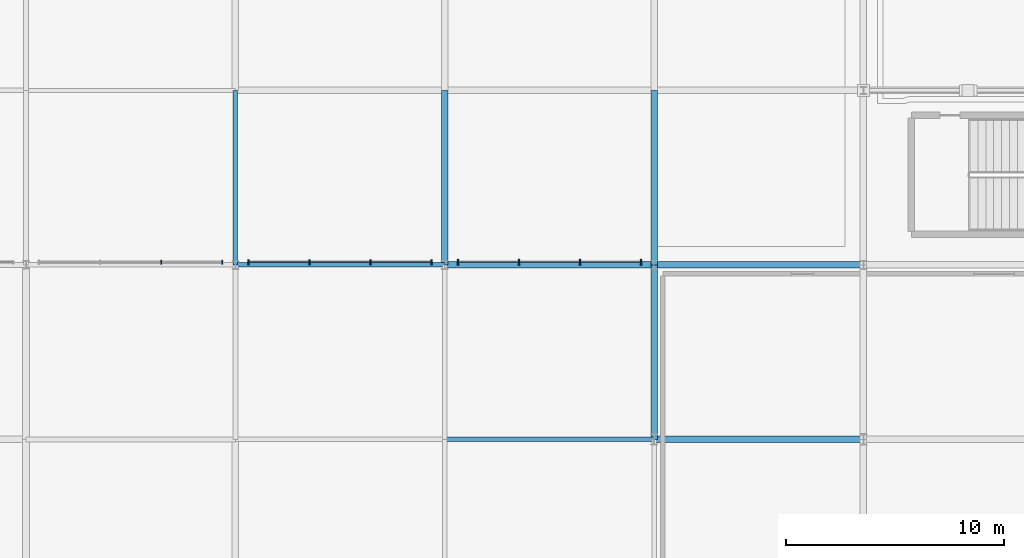
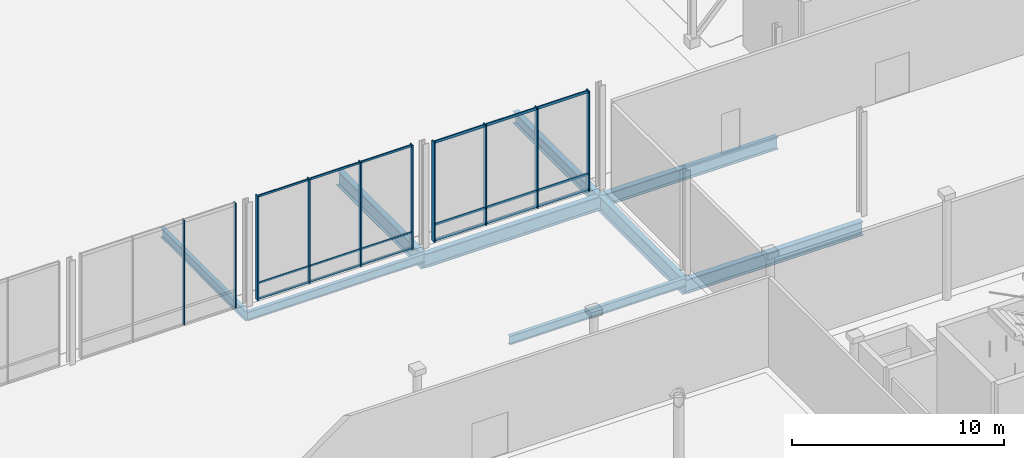
# One storey, part 57 of 124: 16 members, 9 beams, 3 elements without a shape of their own.
"""IFC4 building model written with IfcOpenShell, lengths in metres."""

import ifcopenshell
import ifcopenshell.guid

model = None  # the IFC model being written
_history = None  # IfcOwnerHistory: only IFC2X3 demands one
_inside = {}  # id of a spatial element -> (the spatial element, [elements in it])
_under = {}  # id of a project, library or spatial element -> (it, [spatial elements below it])
_declared = {}  # id of a project -> (the project, [libraries it declares])
_typed = {}  # id of a type object -> (the type object, [elements of that type])
_made_of = {}  # id of a material, layer set ... -> (it, [elements and type objects made of it])


def new_model(schema):
    """Start an empty IFC model of exactly this schema.

    Asked for "IFC4X3", IfcOpenShell would pick the latest addendum, in which some entities
    have other attributes; the version numbers below select the first issue.
    IFC2X3 requires an IfcOwnerHistory on every rooted entity: one is made here for all.
    """
    global model, _history
    if schema == "IFC4X3":
        model = ifcopenshell.file(schema_version=(4, 3, 0, 0))
    else:
        model = ifcopenshell.file(schema=schema)
    _inside.clear()
    _under.clear()
    _declared.clear()
    _typed.clear()
    _made_of.clear()
    _history = None
    if model.schema == "IFC2X3":
        org = make("IfcOrganization", Name="unknown")
        user = make(
            "IfcPersonAndOrganization",
            ThePerson=make("IfcPerson", FamilyName="unknown"),
            TheOrganization=org,
        )
        app = make(
            "IfcApplication",
            ApplicationDeveloper=org,
            Version="unknown",
            ApplicationFullName="unknown",
            ApplicationIdentifier="unknown",
        )
        _history = make(
            "IfcOwnerHistory",
            OwningUser=user,
            OwningApplication=app,
            ChangeAction="ADDED",
            CreationDate=0,
        )
    return model


def make(cls, **values):
    """One entity of the class cls with the attributes given. An attribute that is None is left unset."""
    return model.create_entity(
        cls, **{name: value for name, value in values.items() if value is not None}
    )


def rooted(cls, **values):
    """An entity with a GlobalId (a new one), such as an element, a storey or a relation."""
    return make(cls, GlobalId=ifcopenshell.guid.new(), OwnerHistory=_history, **values)


def si_unit(unit_type, name, prefix=None):
    """IfcSIUnit, for example si_unit("LENGTHUNIT", "METRE", prefix="MILLI")."""
    return make("IfcSIUnit", UnitType=unit_type, Prefix=prefix, Name=name)


def assignment(units):
    """IfcUnitAssignment: the units of a project."""
    return None if units is None else make("IfcUnitAssignment", Units=units)


def point(xyz):
    """IfcCartesianPoint."""
    return None if xyz is None else make("IfcCartesianPoint", Coordinates=xyz)


def direction(xyz):
    """IfcDirection."""
    return None if xyz is None else make("IfcDirection", DirectionRatios=xyz)


def frame(location, z_axis=None, x_axis=None):
    """IfcAxis2Placement3D, a coordinate frame: its origin and axes. An axis left out is left unset."""
    return make(
        "IfcAxis2Placement3D",
        Location=point(location),
        Axis=direction(z_axis),
        RefDirection=direction(x_axis),
    )


def frame_2d(location, x_axis=None):
    """IfcAxis2Placement2D, a coordinate frame in the plane: its origin and x axis."""
    return make(
        "IfcAxis2Placement2D", Location=point(location), RefDirection=direction(x_axis)
    )


def origin():
    """The frame at (0, 0, 0) with its axes left unset."""
    return frame((0.0, 0.0, 0.0))


def origin_2d():
    """The frame at (0, 0) in the plane with its x axis left unset."""
    return frame_2d((0.0, 0.0))


def place(relative_to, where):
    """IfcLocalPlacement: puts the frame where relative to a parent placement (None: the world)."""
    return make(
        "IfcLocalPlacement", PlacementRelTo=relative_to, RelativePlacement=where
    )


def context(
    kind, dimensions, precision=None, world=None, true_north=None, identifier=None
):
    """IfcGeometricRepresentationContext, for example the 3D "Model" context."""
    return make(
        "IfcGeometricRepresentationContext",
        ContextIdentifier=identifier,
        ContextType=kind,
        CoordinateSpaceDimension=dimensions,
        Precision=precision,
        WorldCoordinateSystem=world,
        TrueNorth=true_north,
    )


def subcontext(parent, identifier, kind, view, scale=None):
    """IfcGeometricRepresentationSubContext, for example "Body" below "Model"."""
    return make(
        "IfcGeometricRepresentationSubContext",
        ContextIdentifier=identifier,
        ContextType=kind,
        ParentContext=parent,
        TargetScale=scale,
        TargetView=view,
    )


def project(units=None, contexts=None):
    """IfcProject with its units and contexts."""
    return rooted(
        "IfcProject",
        Name="project",
        RepresentationContexts=contexts,
        UnitsInContext=assignment(units),
    )


def spatial(cls, under=None, at=None, **own):
    """A site, building, storey or space (cls), placed at a placement, below another one or the project."""
    s = rooted(cls, ObjectPlacement=at, **own)
    if under is not None:
        _under.setdefault(under.id(), (under, []))[1].append(s)
    return s


def profile(cls, at=None, kind="AREA", **sizes):
    """A parametric profile (cls). Its sizes go by their IFC names, for example OverallWidth=200.0."""
    return make(cls, ProfileType=kind, Position=at, **sizes)


def rectangle(**sizes):
    """IfcRectangleProfileDef."""
    return profile("IfcRectangleProfileDef", **sizes)


def i_section(**sizes):
    """IfcIShapeProfileDef."""
    return profile("IfcIShapeProfileDef", **sizes)


def extrude(swept, where, along, depth):
    """IfcExtrudedAreaSolid: the profile swept, set in the frame where, extruded along a direction by depth."""
    return make(
        "IfcExtrudedAreaSolid",
        SweptArea=swept,
        Position=where,
        ExtrudedDirection=direction(along),
        Depth=depth,
    )


def shape(context_of_items, identifier, shape_type, items):
    """IfcShapeRepresentation: the items that make up one representation, for example the "Body"."""
    return make(
        "IfcShapeRepresentation",
        ContextOfItems=context_of_items,
        RepresentationIdentifier=identifier,
        RepresentationType=shape_type,
        Items=items,
    )


def material(Name=None, Category=None):
    """IfcMaterial."""
    return make("IfcMaterial", Name=Name, Category=Category)


def material_profile(
    of_material, cross_section, Name=None, Category=None, Priority=None
):
    """IfcMaterialProfile: a cross section and its material."""
    return make(
        "IfcMaterialProfile",
        Name=Name,
        Material=of_material,
        Profile=cross_section,
        Priority=Priority,
        Category=Category,
    )


def profile_set(profiles, Name=None, composite=None):
    """IfcMaterialProfileSet."""
    return make(
        "IfcMaterialProfileSet",
        Name=Name,
        MaterialProfiles=profiles,
        CompositeProfile=composite,
    )


def made_of(thing, what):
    """Note that an element or type object is made of a material, layer set ...; save() writes the relation."""
    if what is not None:
        _made_of.setdefault(what.id(), (what, []))[1].append(thing)
    return thing


def type_object(cls, material=None, **own):
    """A type object (cls), such as IfcWallType, which elements share."""
    return made_of(rooted(cls, **own), material)


def element(
    cls,
    number,
    at=None,
    inside=None,
    cuts=None,
    type_object=None,
    material=None,
    context=None,
    identifier="Body",
    shape_type=None,
    held_by="IfcProductDefinitionShape",
    body=None,
    shapes=None,
    **own,
):
    """One element of the class cls, such as IfcWall. Its Tag is "e" and its number.

    at: its placement. inside: the storey or other place that contains it. cuts: it is an
    opening in that element (IfcRelVoidsElement). A single representation is given by context,
    identifier, shape_type and body (its items); several are given by shapes. held_by: the class
    of the entity that holds the representations. save() writes the other relations.
    """
    e = rooted(cls, Tag="e%d" % number, ObjectPlacement=at, **own)
    if body is not None:
        shapes = [shape(context, identifier, shape_type, body)]
    if shapes is not None:
        e.Representation = make(held_by, Representations=shapes)
    if inside is not None:
        _inside.setdefault(inside.id(), (inside, []))[1].append(e)
    if cuts is not None:
        rooted(
            "IfcRelVoidsElement", RelatingBuildingElement=cuts, RelatedOpeningElement=e
        )
    if type_object is not None:
        _typed.setdefault(type_object.id(), (type_object, []))[1].append(e)
    return made_of(e, material)


def aggregate(whole, parts):
    """IfcRelAggregates: a whole, such as a stair, and the parts it consists of."""
    return rooted("IfcRelAggregates", RelatingObject=whole, RelatedObjects=parts)


def save(model, path):
    """Write the relations noted so far, then the file.

    IfcRelAggregates (storeys below a building ...), IfcRelContainedInSpatialStructure (elements
    in a storey), IfcRelDefinesByType, IfcRelAssociatesMaterial and IfcRelDeclares: one each for
    every whole, place, type object, material and project.
    """
    for whole, parts in _under.values():
        aggregate(whole, parts)
    for where, things in _inside.values():
        rooted(
            "IfcRelContainedInSpatialStructure",
            RelatedElements=things,
            RelatingStructure=where,
        )
    for kind, things in _typed.values():
        rooted("IfcRelDefinesByType", RelatedObjects=things, RelatingType=kind)
    for what, things in _made_of.values():
        rooted("IfcRelAssociatesMaterial", RelatedObjects=things, RelatingMaterial=what)
    for by, libraries in _declared.values():
        rooted("IfcRelDeclares", RelatingContext=by, RelatedDefinitions=libraries)
    model.write(path)


model = new_model("IFC4")

# Units and contexts
model_context = context("Model", 3, precision=1e-05, world=origin(), true_north=direction((0.0, 1.0)))
body_context = subcontext(model_context, "Body", "Model", "MODEL_VIEW")
ifc_project = project(units=[si_unit("LENGTHUNIT", "METRE"), si_unit("AREAUNIT", "SQUARE_METRE"), si_unit("VOLUMEUNIT", "CUBIC_METRE"), si_unit("PLANEANGLEUNIT", "RADIAN"), si_unit("MASSUNIT", "GRAM", prefix="KILO")], contexts=[model_context])

# Site, building, storey
site_placement = place(None, origin())
site = spatial("IfcSite", under=ifc_project, at=site_placement, CompositionType="ELEMENT")
building_placement = place(site_placement, origin())
building = spatial("IfcBuilding", under=site, at=building_placement, Name="Danafjord Basin Convention Centre", CompositionType="ELEMENT")
storey_placement = place(building_placement, origin())
storey = spatial("IfcBuildingStorey", under=building, at=storey_placement, Name="L00", CompositionType="ELEMENT", Elevation=0.0)

# Beams
ifc_material_1 = material(Name="Steel S355", Category="steel")
ifc_material_profile_1 = material_profile(ifc_material_1, i_section(OverallWidth=0.300048828125, OverallDepth=0.699951171875, WebThickness=0.01708984375, FlangeThickness=0.031982421875, FilletRadius=0.027099609375, at=origin_2d()), Name="HEB 700")
ifc_profile_set_1 = profile_set([ifc_material_profile_1], Name="Steel S355")
beam_type_1 = type_object("IfcBeamType", Name="BEAM-BM-HEB700", PredefinedType="BEAM", material=ifc_profile_set_1)
beam_1_placement = place(storey_placement, frame((182.39990234375, 40.0, -0.7099609375), z_axis=(1.0, 0.0, 0.0), x_axis=(0.0, 1.0, 0.0)))
element("IfcBeam", 1, at=beam_1_placement, inside=storey, type_object=beam_type_1, Name="L00 girder BM-HEB700", PredefinedType="BEAM", context=body_context, shape_type="SweptSolid", body=[
    extrude(i_section(OverallWidth=0.300048828125, OverallDepth=0.699951171875, WebThickness=0.01708984375, FlangeThickness=0.031982421875, FilletRadius=0.027099609375, at=origin_2d()), origin(), (0.0, 0.0, 1.0), 9.60009765625),
])
beam_2_placement = place(storey_placement, frame((182.39990234375, 40.0, -0.72998046875), z_axis=(0.0, 1.0, 0.0), x_axis=(-1.0, 0.0, 0.0)))
element("IfcBeam", 2, at=beam_2_placement, inside=storey, type_object=beam_type_1, Name="L00 transverse girder BM-HEB700", PredefinedType="BEAM", context=body_context, shape_type="SweptSolid", body=[
    extrude(i_section(OverallWidth=0.300048828125, OverallDepth=0.699951171875, WebThickness=0.01708984375, FlangeThickness=0.031982421875, FilletRadius=0.027099609375, at=origin_2d()), origin(), (0.0, 0.0, 1.0), 8.0),
])
ifc_material_profile_2 = material_profile(ifc_material_1, i_section(OverallWidth=0.300048828125, OverallDepth=0.800048828125, WebThickness=0.017578125, FlangeThickness=0.032958984375, FilletRadius=0.030029296875, at=origin_2d()), Name="HEB 800")
ifc_profile_set_2 = profile_set([ifc_material_profile_2], Name="Steel S355")
beam_type_2 = type_object("IfcBeamType", Name="BEAM-BM-HEB800", PredefinedType="BEAM", material=ifc_profile_set_2)
beam_3_placement = place(storey_placement, frame((172.800048828125, 40.0, -0.780029296875), z_axis=(1.0, 0.0, 0.0), x_axis=(0.0, 1.0, 0.0)))
element("IfcBeam", 3, at=beam_3_placement, inside=storey, type_object=beam_type_2, Name="L00 girder BM-HEB800", PredefinedType="BEAM", context=body_context, shape_type="SweptSolid", body=[
    extrude(i_section(OverallWidth=0.300048828125, OverallDepth=0.800048828125, WebThickness=0.017578125, FlangeThickness=0.032958984375, FilletRadius=0.030029296875, at=origin_2d()), origin(), (0.0, 0.0, 1.0), 9.599853515625),
])
beam_4_placement = place(storey_placement, frame((182.39990234375, 32.0, -0.760009765625), z_axis=(1.0, 0.0, 0.0), x_axis=(0.0, 1.0, 0.0)))
element("IfcBeam", 4, at=beam_4_placement, inside=storey, type_object=beam_type_2, Name="L00 girder BM-HEB800", PredefinedType="BEAM", context=body_context, shape_type="SweptSolid", body=[
    extrude(i_section(OverallWidth=0.300048828125, OverallDepth=0.800048828125, WebThickness=0.017578125, FlangeThickness=0.032958984375, FilletRadius=0.030029296875, at=origin_2d()), origin(), (0.0, 0.0, 1.0), 9.60009765625),
])
ifc_material_profile_3 = material_profile(ifc_material_1, i_section(OverallWidth=0.300048828125, OverallDepth=0.89990234375, WebThickness=0.0185546875, FlangeThickness=0.034912109375, FilletRadius=0.030029296875, at=origin_2d()), Name="HEB 900")
ifc_profile_set_3 = profile_set([ifc_material_profile_3], Name="Steel S355")
beam_type_3 = type_object("IfcBeamType", Name="BEAM-BM-HEB900", PredefinedType="BEAM", material=ifc_profile_set_3)
for number, where, z_axis, x_axis, name in (
    (5, (172.800048828125, 40.0, -0.830078125), (0.0, 1.0, 0.0), (-1.0, 0.0, 0.0), "L00 transverse girder BM-HEB900"),
    (6, (182.39990234375, 32.0, -0.81005859375), (0.0, 1.0, 0.0), (-1.0, 0.0, 0.0), "L00 transverse girder BM-HEB900"),
):
    element("IfcBeam", number, at=place(storey_placement, frame(where, z_axis=z_axis, x_axis=x_axis)), inside=storey, type_object=beam_type_3, Name=name, PredefinedType="BEAM", context=body_context, shape_type="SweptSolid", body=[
        extrude(i_section(OverallWidth=0.300048828125, OverallDepth=0.89990234375, WebThickness=0.0185546875, FlangeThickness=0.034912109375, FilletRadius=0.030029296875, at=origin_2d()), origin(), (0.0, 0.0, 1.0), 8.0),
    ])
ifc_material_profile_4 = material_profile(ifc_material_1, i_section(OverallWidth=0.199951171875, OverallDepth=0.5, WebThickness=0.01025390625, FlangeThickness=0.01611328125, FilletRadius=0.02099609375, at=origin_2d()), Name="IPE 500")
ifc_profile_set_4 = profile_set([ifc_material_profile_4], Name="Steel S355")
beam_type_4 = type_object("IfcBeamType", Name="BEAM-BM-IPE500", PredefinedType="BEAM", material=ifc_profile_set_4)
beam_5_placement = place(storey_placement, frame((163.199951171875, 40.0, -0.6298828125), z_axis=(1.0, 0.0, 0.0), x_axis=(0.0, 1.0, 0.0)))
element("IfcBeam", 7, at=beam_5_placement, inside=storey, type_object=beam_type_4, Name="L00 girder BM-IPE500", PredefinedType="BEAM", context=body_context, shape_type="SweptSolid", body=[
    extrude(i_section(OverallWidth=0.199951171875, OverallDepth=0.5, WebThickness=0.01025390625, FlangeThickness=0.01611328125, FilletRadius=0.02099609375, at=origin_2d()), origin(), (0.0, 0.0, 1.0), 9.60009765625),
])
beam_6_placement = place(storey_placement, frame((172.800048828125, 32.0, -0.530029296875), z_axis=(1.0, 0.0, 0.0), x_axis=(0.0, 1.0, 0.0)))
element("IfcBeam", 8, at=beam_6_placement, inside=storey, type_object=beam_type_4, Name="L00 girder BM-IPE500", PredefinedType="BEAM", context=body_context, shape_type="SweptSolid", body=[
    extrude(i_section(OverallWidth=0.199951171875, OverallDepth=0.5, WebThickness=0.01025390625, FlangeThickness=0.01611328125, FilletRadius=0.02099609375, at=origin_2d()), origin(), (0.0, 0.0, 1.0), 9.599853515625),
])
ifc_material_profile_5 = material_profile(ifc_material_1, i_section(OverallWidth=0.2099609375, OverallDepth=0.550048828125, WebThickness=0.010986328125, FlangeThickness=0.01708984375, FilletRadius=0.02392578125, at=origin_2d()), Name="IPE 550")
ifc_profile_set_5 = profile_set([ifc_material_profile_5], Name="Steel S355")
beam_type_5 = type_object("IfcBeamType", Name="BEAM-BM-IPE550", PredefinedType="BEAM", material=ifc_profile_set_5)
beam_7_placement = place(storey_placement, frame((163.199951171875, 40.0, -0.655029296875), z_axis=(0.0, 1.0, 0.0), x_axis=(-1.0, 0.0, 0.0)))
element("IfcBeam", 9, at=beam_7_placement, inside=storey, type_object=beam_type_5, Name="L00 transverse girder BM-IPE550", PredefinedType="BEAM", context=body_context, shape_type="SweptSolid", body=[
    extrude(i_section(OverallWidth=0.2099609375, OverallDepth=0.550048828125, WebThickness=0.010986328125, FlangeThickness=0.01708984375, FilletRadius=0.02392578125, at=origin_2d()), origin(), (0.0, 0.0, 1.0), 8.0),
])

# Curtain wall, members
ifc_material_2 = material(Name="Anodised aluminium and triple glazing", Category="aluminium")
curtain_wall_type = type_object("IfcCurtainWallType", Name="CW-CW-HARB", PredefinedType="NOTDEFINED", material=ifc_material_2)
curtain_wall_1_placement = place(storey_placement, origin())
curtain_wall_1 = element("IfcCurtainWall", 10, at=curtain_wall_1_placement, inside=storey, type_object=curtain_wall_type, Name="L00 CW-HARB unitised curtain wall bay 131", PredefinedType="NOTDEFINED")
ifc_material_3 = material(Name="Anodised aluminium EN AW-6060", Category="aluminium")
ifc_material_profile_6 = material_profile(ifc_material_3, rectangle(XDim=0.06005859375, YDim=0.179931640625, at=origin_2d()), Name="MULL 60x180")
ifc_profile_set_6 = profile_set([ifc_material_profile_6], Name="Anodised aluminium EN AW-6060")
member_type_1 = type_object("IfcMemberType", Name="MEM-ML-180", PredefinedType="MULLION", material=ifc_profile_set_6)
member_1_placement = place(storey_placement, frame((159.800048828125, 40.1201171875, -0.02490234375), z_axis=(0.0, 0.0, 1.0), x_axis=(1.0, 0.0, 0.0)))
member_1 = element("IfcMember", 11, at=member_1_placement, type_object=member_type_1, Name="CW-L00-131 mullion 3", PredefinedType="MULLION", context=body_context, shape_type="SweptSolid", body=[
    extrude(rectangle(XDim=0.06005859375, YDim=0.179931640625, at=origin_2d()), origin(), (0.0, 0.0, 1.0), 6.034912109375),
])
member_2_placement = place(storey_placement, frame((162.60009765625, 40.1201171875, -0.02490234375), z_axis=(0.0, 0.0, 1.0), x_axis=(1.0, 0.0, 0.0)))
member_2 = element("IfcMember", 12, at=member_2_placement, type_object=member_type_1, Name="CW-L00-131 mullion 4", PredefinedType="MULLION", context=body_context, shape_type="SweptSolid", body=[
    extrude(rectangle(XDim=0.06005859375, YDim=0.179931640625, at=origin_2d()), origin(), (0.0, 0.0, 1.0), 6.034912109375),
])
aggregate(curtain_wall_1, [member_1, member_2])

curtain_wall_2_placement = place(storey_placement, origin())
curtain_wall_2 = element("IfcCurtainWall", 13, at=curtain_wall_2_placement, inside=storey, type_object=curtain_wall_type, Name="L00 CW-HARB unitised curtain wall bay 132", PredefinedType="NOTDEFINED")
ifc_material_profile_7 = material_profile(ifc_material_3, rectangle(XDim=0.06494140625, YDim=0.219970703125, at=origin_2d()), Name="MULL 65x220")
ifc_profile_set_7 = profile_set([ifc_material_profile_7], Name="Anodised aluminium EN AW-6060")
member_type_2 = type_object("IfcMemberType", Name="MEM-ML-220", PredefinedType="MULLION", material=ifc_profile_set_7)
member_3_placement = place(storey_placement, frame((163.800048828125, 40.1201171875, -0.02490234375), z_axis=(0.0, 0.0, 1.0), x_axis=(1.0, 0.0, 0.0)))
member_3 = element("IfcMember", 14, at=member_3_placement, type_object=member_type_2, Name="CW-L00-132 mullion 1", PredefinedType="MULLION", context=body_context, shape_type="SweptSolid", body=[
    extrude(rectangle(XDim=0.06494140625, YDim=0.219970703125, at=origin_2d()), origin(), (0.0, 0.0, 1.0), 6.034912109375),
])
member_4_placement = place(storey_placement, frame((166.60009765625, 40.1201171875, -0.02490234375), z_axis=(0.0, 0.0, 1.0), x_axis=(1.0, 0.0, 0.0)))
member_4 = element("IfcMember", 15, at=member_4_placement, type_object=member_type_2, Name="CW-L00-132 mullion 2", PredefinedType="MULLION", context=body_context, shape_type="SweptSolid", body=[
    extrude(rectangle(XDim=0.06494140625, YDim=0.219970703125, at=origin_2d()), origin(), (0.0, 0.0, 1.0), 6.034912109375),
])
member_5_placement = place(storey_placement, frame((169.39990234375, 40.1201171875, -0.02490234375), z_axis=(0.0, 0.0, 1.0), x_axis=(1.0, 0.0, 0.0)))
member_5 = element("IfcMember", 16, at=member_5_placement, type_object=member_type_2, Name="CW-L00-132 mullion 3", PredefinedType="MULLION", context=body_context, shape_type="SweptSolid", body=[
    extrude(rectangle(XDim=0.06494140625, YDim=0.219970703125, at=origin_2d()), origin(), (0.0, 0.0, 1.0), 6.034912109375),
])
member_6_placement = place(storey_placement, frame((172.199951171875, 40.1201171875, -0.02490234375), z_axis=(0.0, 0.0, 1.0), x_axis=(1.0, 0.0, 0.0)))
member_6 = element("IfcMember", 17, at=member_6_placement, type_object=member_type_2, Name="CW-L00-132 mullion 4", PredefinedType="MULLION", context=body_context, shape_type="SweptSolid", body=[
    extrude(rectangle(XDim=0.06494140625, YDim=0.219970703125, at=origin_2d()), origin(), (0.0, 0.0, 1.0), 6.034912109375),
])

curtain_wall_3_placement = place(storey_placement, origin())
curtain_wall_3 = element("IfcCurtainWall", 18, at=curtain_wall_3_placement, inside=storey, type_object=curtain_wall_type, Name="L00 CW-HARB unitised curtain wall bay 133", PredefinedType="NOTDEFINED")
ifc_material_profile_8 = material_profile(ifc_material_3, rectangle(XDim=0.070068359375, YDim=0.260009765625, at=origin_2d()), Name="MULL 70x260")
ifc_profile_set_8 = profile_set([ifc_material_profile_8], Name="Anodised aluminium EN AW-6060")
member_type_3 = type_object("IfcMemberType", Name="MEM-ML-260", PredefinedType="MULLION", material=ifc_profile_set_8)
member_7_placement = place(storey_placement, frame((173.39990234375, 40.1201171875, -0.02490234375), z_axis=(0.0, 0.0, 1.0), x_axis=(1.0, 0.0, 0.0)))
member_7 = element("IfcMember", 19, at=member_7_placement, type_object=member_type_3, Name="CW-L00-133 mullion 1", PredefinedType="MULLION", context=body_context, shape_type="SweptSolid", body=[
    extrude(rectangle(XDim=0.070068359375, YDim=0.260009765625, at=origin_2d()), origin(), (0.0, 0.0, 1.0), 5.784912109375),
])
member_8_placement = place(storey_placement, frame((176.199951171875, 40.1201171875, -0.02490234375), z_axis=(0.0, 0.0, 1.0), x_axis=(1.0, 0.0, 0.0)))
member_8 = element("IfcMember", 20, at=member_8_placement, type_object=member_type_3, Name="CW-L00-133 mullion 2", PredefinedType="MULLION", context=body_context, shape_type="SweptSolid", body=[
    extrude(rectangle(XDim=0.070068359375, YDim=0.260009765625, at=origin_2d()), origin(), (0.0, 0.0, 1.0), 5.784912109375),
])
member_9_placement = place(storey_placement, frame((179.0, 40.1201171875, -0.02490234375), z_axis=(0.0, 0.0, 1.0), x_axis=(1.0, 0.0, 0.0)))
member_9 = element("IfcMember", 21, at=member_9_placement, type_object=member_type_3, Name="CW-L00-133 mullion 3", PredefinedType="MULLION", context=body_context, shape_type="SweptSolid", body=[
    extrude(rectangle(XDim=0.070068359375, YDim=0.260009765625, at=origin_2d()), origin(), (0.0, 0.0, 1.0), 5.784912109375),
])
member_10_placement = place(storey_placement, frame((181.800048828125, 40.1201171875, -0.02490234375), z_axis=(0.0, 0.0, 1.0), x_axis=(1.0, 0.0, 0.0)))
member_10 = element("IfcMember", 22, at=member_10_placement, type_object=member_type_3, Name="CW-L00-133 mullion 4", PredefinedType="MULLION", context=body_context, shape_type="SweptSolid", body=[
    extrude(rectangle(XDim=0.070068359375, YDim=0.260009765625, at=origin_2d()), origin(), (0.0, 0.0, 1.0), 5.784912109375),
])

# Member
ifc_material_profile_9 = material_profile(ifc_material_3, rectangle(XDim=0.06005859375, YDim=0.110107421875, at=origin_2d()), Name="TRAN 60x110")
ifc_profile_set_9 = profile_set([ifc_material_profile_9], Name="Anodised aluminium EN AW-6060")
member_type_4 = type_object("IfcMemberType", Name="MEM-TR-110", PredefinedType="USERDEFINED", material=ifc_profile_set_9)
member_11_placement = place(storey_placement, frame((163.800048828125, 40.1201171875, 0.06005859375), z_axis=(1.0, 0.0, 0.0), x_axis=(0.0, 1.0, 0.0)))
member_11 = element("IfcMember", 23, at=member_11_placement, type_object=member_type_4, Name="CW-L00-132 transom 1", ObjectType="TRANSOM", PredefinedType="USERDEFINED", context=body_context, shape_type="SweptSolid", body=[
    extrude(rectangle(XDim=0.06005859375, YDim=0.110107421875, at=origin_2d()), origin(), (0.0, 0.0, 1.0), 8.39990234375),
])

member_12_placement = place(storey_placement, frame((163.800048828125, 40.1201171875, 0.949951171875), z_axis=(1.0, 0.0, 0.0), x_axis=(0.0, 1.0, 0.0)))
member_12 = element("IfcMember", 24, at=member_12_placement, type_object=member_type_4, Name="CW-L00-132 transom 2", ObjectType="TRANSOM", PredefinedType="USERDEFINED", context=body_context, shape_type="SweptSolid", body=[
    extrude(rectangle(XDim=0.06005859375, YDim=0.110107421875, at=origin_2d()), origin(), (0.0, 0.0, 1.0), 8.39990234375),
])

member_13_placement = place(storey_placement, frame((163.800048828125, 40.1201171875, 5.93994140625), z_axis=(1.0, 0.0, 0.0), x_axis=(0.0, 1.0, 0.0)))
member_13 = element("IfcMember", 25, at=member_13_placement, type_object=member_type_4, Name="CW-L00-132 transom 3", ObjectType="TRANSOM", PredefinedType="USERDEFINED", context=body_context, shape_type="SweptSolid", body=[
    extrude(rectangle(XDim=0.06005859375, YDim=0.110107421875, at=origin_2d()), origin(), (0.0, 0.0, 1.0), 8.39990234375),
])

aggregate(curtain_wall_2, [member_3, member_4, member_5, member_6, member_11, member_12, member_13])

ifc_material_profile_10 = material_profile(ifc_material_3, rectangle(XDim=0.06005859375, YDim=0.14990234375, at=origin_2d()), Name="TRAN 60x150")
ifc_profile_set_10 = profile_set([ifc_material_profile_10], Name="Anodised aluminium EN AW-6060")
member_type_5 = type_object("IfcMemberType", Name="MEM-TR-150", PredefinedType="USERDEFINED", material=ifc_profile_set_10)
member_14_placement = place(storey_placement, frame((173.39990234375, 40.1201171875, 0.06005859375), z_axis=(1.0, 0.0, 0.0), x_axis=(0.0, 1.0, 0.0)))
member_14 = element("IfcMember", 26, at=member_14_placement, type_object=member_type_5, Name="CW-L00-133 transom 1", ObjectType="TRANSOM", PredefinedType="USERDEFINED", context=body_context, shape_type="SweptSolid", body=[
    extrude(rectangle(XDim=0.06005859375, YDim=0.14990234375, at=origin_2d()), origin(), (0.0, 0.0, 1.0), 8.400146484375),
])

member_15_placement = place(storey_placement, frame((173.39990234375, 40.1201171875, 0.949951171875), z_axis=(1.0, 0.0, 0.0), x_axis=(0.0, 1.0, 0.0)))
member_15 = element("IfcMember", 27, at=member_15_placement, type_object=member_type_5, Name="CW-L00-133 transom 2", ObjectType="TRANSOM", PredefinedType="USERDEFINED", context=body_context, shape_type="SweptSolid", body=[
    extrude(rectangle(XDim=0.06005859375, YDim=0.14990234375, at=origin_2d()), origin(), (0.0, 0.0, 1.0), 8.400146484375),
])

member_16_placement = place(storey_placement, frame((173.39990234375, 40.1201171875, 5.68994140625), z_axis=(1.0, 0.0, 0.0), x_axis=(0.0, 1.0, 0.0)))
member_16 = element("IfcMember", 28, at=member_16_placement, type_object=member_type_5, Name="CW-L00-133 transom 3", ObjectType="TRANSOM", PredefinedType="USERDEFINED", context=body_context, shape_type="SweptSolid", body=[
    extrude(rectangle(XDim=0.06005859375, YDim=0.14990234375, at=origin_2d()), origin(), (0.0, 0.0, 1.0), 8.400146484375),
])

aggregate(curtain_wall_3, [member_7, member_8, member_9, member_10, member_14, member_15, member_16])

save(model, "model.ifc")
